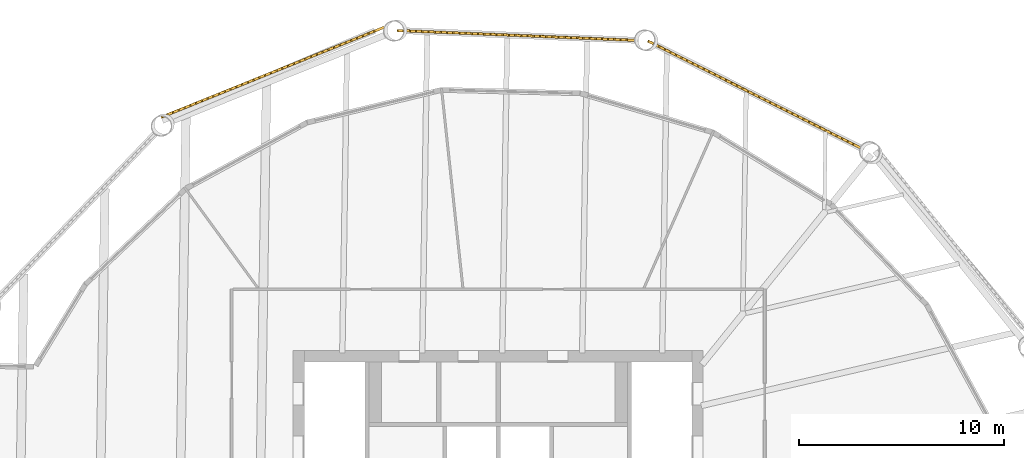
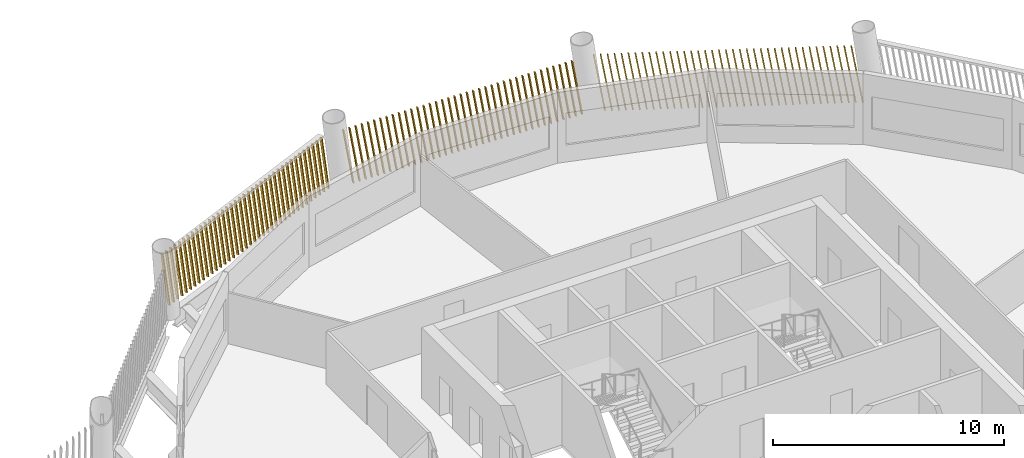
# One storey, part 14 of 15: 3 shading devices.
"""IFC4 building model written with IfcOpenShell, lengths in metres."""

import ifcopenshell
import ifcopenshell.guid

model = None  # the IFC model being written
_history = None  # IfcOwnerHistory: only IFC2X3 demands one
_inside = {}  # id of a spatial element -> (the spatial element, [elements in it])
_under = {}  # id of a project, library or spatial element -> (it, [spatial elements below it])
_declared = {}  # id of a project -> (the project, [libraries it declares])
_typed = {}  # id of a type object -> (the type object, [elements of that type])
_made_of = {}  # id of a material, layer set ... -> (it, [elements and type objects made of it])


def new_model(schema):
    """Start an empty IFC model of exactly this schema.

    Asked for "IFC4X3", IfcOpenShell would pick the latest addendum, in which some entities
    have other attributes; the version numbers below select the first issue.
    IFC2X3 requires an IfcOwnerHistory on every rooted entity: one is made here for all.
    """
    global model, _history
    if schema == "IFC4X3":
        model = ifcopenshell.file(schema_version=(4, 3, 0, 0))
    else:
        model = ifcopenshell.file(schema=schema)
    _inside.clear()
    _under.clear()
    _declared.clear()
    _typed.clear()
    _made_of.clear()
    _history = None
    if model.schema == "IFC2X3":
        org = make("IfcOrganization", Name="unknown")
        user = make(
            "IfcPersonAndOrganization",
            ThePerson=make("IfcPerson", FamilyName="unknown"),
            TheOrganization=org,
        )
        app = make(
            "IfcApplication",
            ApplicationDeveloper=org,
            Version="unknown",
            ApplicationFullName="unknown",
            ApplicationIdentifier="unknown",
        )
        _history = make(
            "IfcOwnerHistory",
            OwningUser=user,
            OwningApplication=app,
            ChangeAction="ADDED",
            CreationDate=0,
        )
    return model


def make(cls, **values):
    """One entity of the class cls with the attributes given. An attribute that is None is left unset."""
    return model.create_entity(
        cls, **{name: value for name, value in values.items() if value is not None}
    )


def rooted(cls, **values):
    """An entity with a GlobalId (a new one), such as an element, a storey or a relation."""
    return make(cls, GlobalId=ifcopenshell.guid.new(), OwnerHistory=_history, **values)


def si_unit(unit_type, name, prefix=None):
    """IfcSIUnit, for example si_unit("LENGTHUNIT", "METRE", prefix="MILLI")."""
    return make("IfcSIUnit", UnitType=unit_type, Prefix=prefix, Name=name)


def assignment(units):
    """IfcUnitAssignment: the units of a project."""
    return None if units is None else make("IfcUnitAssignment", Units=units)


def point(xyz):
    """IfcCartesianPoint."""
    return None if xyz is None else make("IfcCartesianPoint", Coordinates=xyz)


def direction(xyz):
    """IfcDirection."""
    return None if xyz is None else make("IfcDirection", DirectionRatios=xyz)


def frame(location, z_axis=None, x_axis=None):
    """IfcAxis2Placement3D, a coordinate frame: its origin and axes. An axis left out is left unset."""
    return make(
        "IfcAxis2Placement3D",
        Location=point(location),
        Axis=direction(z_axis),
        RefDirection=direction(x_axis),
    )


def frame_2d(location, x_axis=None):
    """IfcAxis2Placement2D, a coordinate frame in the plane: its origin and x axis."""
    return make(
        "IfcAxis2Placement2D", Location=point(location), RefDirection=direction(x_axis)
    )


def origin():
    """The frame at (0, 0, 0) with its axes left unset."""
    return frame((0.0, 0.0, 0.0))


def place(relative_to, where):
    """IfcLocalPlacement: puts the frame where relative to a parent placement (None: the world)."""
    return make(
        "IfcLocalPlacement", PlacementRelTo=relative_to, RelativePlacement=where
    )


def context(
    kind, dimensions, precision=None, world=None, true_north=None, identifier=None
):
    """IfcGeometricRepresentationContext, for example the 3D "Model" context."""
    return make(
        "IfcGeometricRepresentationContext",
        ContextIdentifier=identifier,
        ContextType=kind,
        CoordinateSpaceDimension=dimensions,
        Precision=precision,
        WorldCoordinateSystem=world,
        TrueNorth=true_north,
    )


def subcontext(parent, identifier, kind, view, scale=None):
    """IfcGeometricRepresentationSubContext, for example "Body" below "Model"."""
    return make(
        "IfcGeometricRepresentationSubContext",
        ContextIdentifier=identifier,
        ContextType=kind,
        ParentContext=parent,
        TargetScale=scale,
        TargetView=view,
    )


def project(units=None, contexts=None):
    """IfcProject with its units and contexts."""
    return rooted(
        "IfcProject",
        Name="project",
        RepresentationContexts=contexts,
        UnitsInContext=assignment(units),
    )


def spatial(cls, under=None, at=None, **own):
    """A site, building, storey or space (cls), placed at a placement, below another one or the project."""
    s = rooted(cls, ObjectPlacement=at, **own)
    if under is not None:
        _under.setdefault(under.id(), (under, []))[1].append(s)
    return s


def profile(cls, at=None, kind="AREA", **sizes):
    """A parametric profile (cls). Its sizes go by their IFC names, for example OverallWidth=200.0."""
    return make(cls, ProfileType=kind, Position=at, **sizes)


def rectangle(**sizes):
    """IfcRectangleProfileDef."""
    return profile("IfcRectangleProfileDef", **sizes)


def composite_profile(profiles, kind="AREA"):
    """IfcCompositeProfileDef: several profiles as one."""
    return make("IfcCompositeProfileDef", ProfileType=kind, Profiles=profiles)


def extrude(swept, where, along, depth):
    """IfcExtrudedAreaSolid: the profile swept, set in the frame where, extruded along a direction by depth."""
    return make(
        "IfcExtrudedAreaSolid",
        SweptArea=swept,
        Position=where,
        ExtrudedDirection=direction(along),
        Depth=depth,
    )


def shape(context_of_items, identifier, shape_type, items):
    """IfcShapeRepresentation: the items that make up one representation, for example the "Body"."""
    return make(
        "IfcShapeRepresentation",
        ContextOfItems=context_of_items,
        RepresentationIdentifier=identifier,
        RepresentationType=shape_type,
        Items=items,
    )


def material(Name=None, Category=None):
    """IfcMaterial."""
    return make("IfcMaterial", Name=Name, Category=Category)


def made_of(thing, what):
    """Note that an element or type object is made of a material, layer set ...; save() writes the relation."""
    if what is not None:
        _made_of.setdefault(what.id(), (what, []))[1].append(thing)
    return thing


def type_object(cls, material=None, **own):
    """A type object (cls), such as IfcWallType, which elements share."""
    return made_of(rooted(cls, **own), material)


def element(
    cls,
    number,
    at=None,
    inside=None,
    cuts=None,
    type_object=None,
    material=None,
    context=None,
    identifier="Body",
    shape_type=None,
    held_by="IfcProductDefinitionShape",
    body=None,
    shapes=None,
    **own,
):
    """One element of the class cls, such as IfcWall. Its Tag is "e" and its number.

    at: its placement. inside: the storey or other place that contains it. cuts: it is an
    opening in that element (IfcRelVoidsElement). A single representation is given by context,
    identifier, shape_type and body (its items); several are given by shapes. held_by: the class
    of the entity that holds the representations. save() writes the other relations.
    """
    e = rooted(cls, Tag="e%d" % number, ObjectPlacement=at, **own)
    if body is not None:
        shapes = [shape(context, identifier, shape_type, body)]
    if shapes is not None:
        e.Representation = make(held_by, Representations=shapes)
    if inside is not None:
        _inside.setdefault(inside.id(), (inside, []))[1].append(e)
    if cuts is not None:
        rooted(
            "IfcRelVoidsElement", RelatingBuildingElement=cuts, RelatedOpeningElement=e
        )
    if type_object is not None:
        _typed.setdefault(type_object.id(), (type_object, []))[1].append(e)
    return made_of(e, material)


def aggregate(whole, parts):
    """IfcRelAggregates: a whole, such as a stair, and the parts it consists of."""
    return rooted("IfcRelAggregates", RelatingObject=whole, RelatedObjects=parts)


def save(model, path):
    """Write the relations noted so far, then the file.

    IfcRelAggregates (storeys below a building ...), IfcRelContainedInSpatialStructure (elements
    in a storey), IfcRelDefinesByType, IfcRelAssociatesMaterial and IfcRelDeclares: one each for
    every whole, place, type object, material and project.
    """
    for whole, parts in _under.values():
        aggregate(whole, parts)
    for where, things in _inside.values():
        rooted(
            "IfcRelContainedInSpatialStructure",
            RelatedElements=things,
            RelatingStructure=where,
        )
    for kind, things in _typed.values():
        rooted("IfcRelDefinesByType", RelatedObjects=things, RelatingType=kind)
    for what, things in _made_of.values():
        rooted("IfcRelAssociatesMaterial", RelatedObjects=things, RelatingMaterial=what)
    for by, libraries in _declared.values():
        rooted("IfcRelDeclares", RelatingContext=by, RelatedDefinitions=libraries)
    model.write(path)


model = new_model("IFC4")

# Units and contexts
model_context = context("Model", 3, precision=1e-05, world=origin(), true_north=direction((0.0, 1.0)))
body_context = subcontext(model_context, "Body", "Model", "MODEL_VIEW")
ifc_project = project(units=[si_unit("LENGTHUNIT", "METRE"), si_unit("AREAUNIT", "SQUARE_METRE"), si_unit("VOLUMEUNIT", "CUBIC_METRE"), si_unit("PLANEANGLEUNIT", "RADIAN"), si_unit("MASSUNIT", "GRAM", prefix="KILO")], contexts=[model_context])

# Site, building, storey
site_placement = place(None, origin())
site = spatial("IfcSite", under=ifc_project, at=site_placement, CompositionType="ELEMENT")
building_placement = place(site_placement, origin())
building = spatial("IfcBuilding", under=site, at=building_placement, Name="Tarsis Ring Headquarters", CompositionType="ELEMENT")
storey_placement = place(building_placement, frame((0.0, 0.0, 282.5)))
storey = spatial("IfcBuildingStorey", under=building, at=storey_placement, Name="L66", CompositionType="ELEMENT", Elevation=282.5)

# Shading devices
ifc_material = material(Name="Terracotta baguette", Category="masonry")
shading_device_type = type_object("IfcShadingDeviceType", Name="Terracotta baguette screen", PredefinedType="USERDEFINED", material=ifc_material)
shading_device_1_placement = place(storey_placement, frame((17.786865234375, 22.837890625, 0.0), z_axis=(0.0, 0.0, 1.0), x_axis=(-0.893304395008, 0.449462832339, 0.0)))
element("IfcShadingDevice", 1, at=shading_device_1_placement, inside=storey, type_object=shading_device_type, Name="Baguette screen L66-11", ObjectType="Terracotta baguette screen", PredefinedType="USERDEFINED", context=body_context, shape_type="SweptSolid", body=[
    extrude(composite_profile([rectangle(XDim=0.06005859375, YDim=0.1201171875, at=frame_2d((0.030029296875, 0.0))), rectangle(XDim=0.06005859375, YDim=0.1201171875, at=frame_2d((0.33251953125, 0.0))), rectangle(XDim=0.06005859375, YDim=0.1201171875, at=frame_2d((0.634765625, 0.0))), rectangle(XDim=0.06005859375, YDim=0.1201171875, at=frame_2d((0.937255859375, 0.0))), rectangle(XDim=0.06005859375, YDim=0.1201171875, at=frame_2d((1.239501953125, 0.0))), rectangle(XDim=0.06005859375, YDim=0.1201171875, at=frame_2d((1.5419921875, 0.0))), rectangle(XDim=0.06005859375, YDim=0.1201171875, at=frame_2d((1.844482421875, 0.0))), rectangle(XDim=0.06005859375, YDim=0.1201171875, at=frame_2d((2.146728515625, 0.0))), rectangle(XDim=0.06005859375, YDim=0.1201171875, at=frame_2d((2.44921875, 0.0))), rectangle(XDim=0.06005859375, YDim=0.1201171875, at=frame_2d((2.751708984375, 0.0))), rectangle(XDim=0.06005859375, YDim=0.1201171875, at=frame_2d((3.053955078125, 0.0))), rectangle(XDim=0.06005859375, YDim=0.1201171875, at=frame_2d((3.3564453125, 0.0))), rectangle(XDim=0.06005859375, YDim=0.1201171875, at=frame_2d((3.65869140625, 0.0))), rectangle(XDim=0.06005859375, YDim=0.1201171875, at=frame_2d((3.961181640625, 0.0))), rectangle(XDim=0.06005859375, YDim=0.1201171875, at=frame_2d((4.263671875, 0.0))), rectangle(XDim=0.06005859375, YDim=0.1201171875, at=frame_2d((4.56591796875, 0.0))), rectangle(XDim=0.06005859375, YDim=0.1201171875, at=frame_2d((4.868408203125, 0.0))), rectangle(XDim=0.06005859375, YDim=0.1201171875, at=frame_2d((5.1708984375, 0.0))), rectangle(XDim=0.06005859375, YDim=0.1201171875, at=frame_2d((5.47314453125, 0.0))), rectangle(XDim=0.06005859375, YDim=0.1201171875, at=frame_2d((5.775634765625, 0.0))), rectangle(XDim=0.06005859375, YDim=0.1201171875, at=frame_2d((6.077880859375, 0.0))), rectangle(XDim=0.06005859375, YDim=0.1201171875, at=frame_2d((6.38037109375, 0.0))), rectangle(XDim=0.06005859375, YDim=0.1201171875, at=frame_2d((6.682861328125, 0.0))), rectangle(XDim=0.06005859375, YDim=0.1201171875, at=frame_2d((6.985107421875, 0.0))), rectangle(XDim=0.06005859375, YDim=0.1201171875, at=frame_2d((7.28759765625, 0.0))), rectangle(XDim=0.06005859375, YDim=0.1201171875, at=frame_2d((7.590087890625, 0.0))), rectangle(XDim=0.06005859375, YDim=0.1201171875, at=frame_2d((7.892333984375, 0.0))), rectangle(XDim=0.06005859375, YDim=0.1201171875, at=frame_2d((8.19482421875, 0.0))), rectangle(XDim=0.06005859375, YDim=0.1201171875, at=frame_2d((8.4970703125, 0.0))), rectangle(XDim=0.06005859375, YDim=0.1201171875, at=frame_2d((8.799560546875, 0.0))), rectangle(XDim=0.06005859375, YDim=0.1201171875, at=frame_2d((9.10205078125, 0.0))), rectangle(XDim=0.06005859375, YDim=0.1201171875, at=frame_2d((9.404296875, 0.0))), rectangle(XDim=0.06005859375, YDim=0.1201171875, at=frame_2d((9.706787109375, 0.0))), rectangle(XDim=0.06005859375, YDim=0.1201171875, at=frame_2d((10.00927734375, 0.0))), rectangle(XDim=0.06005859375, YDim=0.1201171875, at=frame_2d((10.3115234375, 0.0))), rectangle(XDim=0.06005859375, YDim=0.1201171875, at=frame_2d((10.614013671875, 0.0))), rectangle(XDim=0.06005859375, YDim=0.1201171875, at=frame_2d((10.916259765625, 0.0))), rectangle(XDim=0.06005859375, YDim=0.1201171875, at=frame_2d((11.21875, 0.0)))]), origin(), (0.164704037264, 0.001438131489, 0.98634198526), 3.0087890625),
])
shading_device_2_placement = place(storey_placement, frame((6.7919921875, 28.13916015625, 0.0), z_axis=(0.0, 0.0, 1.0), x_axis=(-0.999153553988, 0.04128052089, 0.0)))
element("IfcShadingDevice", 2, at=shading_device_2_placement, inside=storey, type_object=shading_device_type, Name="Baguette screen L66-12", ObjectType="Terracotta baguette screen", PredefinedType="USERDEFINED", context=body_context, shape_type="SweptSolid", body=[
    extrude(composite_profile([rectangle(XDim=0.06005859375, YDim=0.1201171875, at=frame_2d((0.030029296875, 0.0))), rectangle(XDim=0.06005859375, YDim=0.1201171875, at=frame_2d((0.33251953125, 0.0))), rectangle(XDim=0.06005859375, YDim=0.1201171875, at=frame_2d((0.634765625, 0.0))), rectangle(XDim=0.06005859375, YDim=0.1201171875, at=frame_2d((0.937255859375, 0.0))), rectangle(XDim=0.06005859375, YDim=0.1201171875, at=frame_2d((1.239501953125, 0.0))), rectangle(XDim=0.06005859375, YDim=0.1201171875, at=frame_2d((1.5419921875, 0.0))), rectangle(XDim=0.06005859375, YDim=0.1201171875, at=frame_2d((1.844482421875, 0.0))), rectangle(XDim=0.06005859375, YDim=0.1201171875, at=frame_2d((2.146728515625, 0.0))), rectangle(XDim=0.06005859375, YDim=0.1201171875, at=frame_2d((2.44921875, 0.0))), rectangle(XDim=0.06005859375, YDim=0.1201171875, at=frame_2d((2.751708984375, 0.0))), rectangle(XDim=0.06005859375, YDim=0.1201171875, at=frame_2d((3.053955078125, 0.0))), rectangle(XDim=0.06005859375, YDim=0.1201171875, at=frame_2d((3.3564453125, 0.0))), rectangle(XDim=0.06005859375, YDim=0.1201171875, at=frame_2d((3.65869140625, 0.0))), rectangle(XDim=0.06005859375, YDim=0.1201171875, at=frame_2d((3.961181640625, 0.0))), rectangle(XDim=0.06005859375, YDim=0.1201171875, at=frame_2d((4.263671875, 0.0))), rectangle(XDim=0.06005859375, YDim=0.1201171875, at=frame_2d((4.56591796875, 0.0))), rectangle(XDim=0.06005859375, YDim=0.1201171875, at=frame_2d((4.868408203125, 0.0))), rectangle(XDim=0.06005859375, YDim=0.1201171875, at=frame_2d((5.1708984375, 0.0))), rectangle(XDim=0.06005859375, YDim=0.1201171875, at=frame_2d((5.47314453125, 0.0))), rectangle(XDim=0.06005859375, YDim=0.1201171875, at=frame_2d((5.775634765625, 0.0))), rectangle(XDim=0.06005859375, YDim=0.1201171875, at=frame_2d((6.077880859375, 0.0))), rectangle(XDim=0.06005859375, YDim=0.1201171875, at=frame_2d((6.38037109375, 0.0))), rectangle(XDim=0.06005859375, YDim=0.1201171875, at=frame_2d((6.682861328125, 0.0))), rectangle(XDim=0.06005859375, YDim=0.1201171875, at=frame_2d((6.985107421875, 0.0))), rectangle(XDim=0.06005859375, YDim=0.1201171875, at=frame_2d((7.28759765625, 0.0))), rectangle(XDim=0.06005859375, YDim=0.1201171875, at=frame_2d((7.590087890625, 0.0))), rectangle(XDim=0.06005859375, YDim=0.1201171875, at=frame_2d((7.892333984375, 0.0))), rectangle(XDim=0.06005859375, YDim=0.1201171875, at=frame_2d((8.19482421875, 0.0))), rectangle(XDim=0.06005859375, YDim=0.1201171875, at=frame_2d((8.4970703125, 0.0))), rectangle(XDim=0.06005859375, YDim=0.1201171875, at=frame_2d((8.799560546875, 0.0))), rectangle(XDim=0.06005859375, YDim=0.1201171875, at=frame_2d((9.10205078125, 0.0))), rectangle(XDim=0.06005859375, YDim=0.1201171875, at=frame_2d((9.404296875, 0.0))), rectangle(XDim=0.06005859375, YDim=0.1201171875, at=frame_2d((9.706787109375, 0.0))), rectangle(XDim=0.06005859375, YDim=0.1201171875, at=frame_2d((10.00927734375, 0.0))), rectangle(XDim=0.06005859375, YDim=0.1201171875, at=frame_2d((10.3115234375, 0.0))), rectangle(XDim=0.06005859375, YDim=0.1201171875, at=frame_2d((10.614013671875, 0.0))), rectangle(XDim=0.06005859375, YDim=0.1201171875, at=frame_2d((10.916259765625, 0.0))), rectangle(XDim=0.06005859375, YDim=0.1201171875, at=frame_2d((11.21875, 0.0)))]), origin(), (0.164704423321, 0.001436093928, 0.986341923763), 3.0087890625),
])
shading_device_3_placement = place(storey_placement, frame((-5.55078125, 28.784912109375, 0.0), z_axis=(0.0, 0.0, 1.0), x_axis=(-0.927337442486, -0.374229533814, 0.0)))
element("IfcShadingDevice", 3, at=shading_device_3_placement, inside=storey, type_object=shading_device_type, Name="Baguette screen L66-13", ObjectType="Terracotta baguette screen", PredefinedType="USERDEFINED", context=body_context, shape_type="SweptSolid", body=[
    extrude(composite_profile([rectangle(XDim=0.06005859375, YDim=0.1201171875, at=frame_2d((0.030029296875, 0.0))), rectangle(XDim=0.06005859375, YDim=0.1201171875, at=frame_2d((0.33251953125, 0.0))), rectangle(XDim=0.06005859375, YDim=0.1201171875, at=frame_2d((0.634765625, 0.0))), rectangle(XDim=0.06005859375, YDim=0.1201171875, at=frame_2d((0.937255859375, 0.0))), rectangle(XDim=0.06005859375, YDim=0.1201171875, at=frame_2d((1.239501953125, 0.0))), rectangle(XDim=0.06005859375, YDim=0.1201171875, at=frame_2d((1.5419921875, 0.0))), rectangle(XDim=0.06005859375, YDim=0.1201171875, at=frame_2d((1.844482421875, 0.0))), rectangle(XDim=0.06005859375, YDim=0.1201171875, at=frame_2d((2.146728515625, 0.0))), rectangle(XDim=0.06005859375, YDim=0.1201171875, at=frame_2d((2.44921875, 0.0))), rectangle(XDim=0.06005859375, YDim=0.1201171875, at=frame_2d((2.751708984375, 0.0))), rectangle(XDim=0.06005859375, YDim=0.1201171875, at=frame_2d((3.053955078125, 0.0))), rectangle(XDim=0.06005859375, YDim=0.1201171875, at=frame_2d((3.3564453125, 0.0))), rectangle(XDim=0.06005859375, YDim=0.1201171875, at=frame_2d((3.65869140625, 0.0))), rectangle(XDim=0.06005859375, YDim=0.1201171875, at=frame_2d((3.961181640625, 0.0))), rectangle(XDim=0.06005859375, YDim=0.1201171875, at=frame_2d((4.263671875, 0.0))), rectangle(XDim=0.06005859375, YDim=0.1201171875, at=frame_2d((4.56591796875, 0.0))), rectangle(XDim=0.06005859375, YDim=0.1201171875, at=frame_2d((4.868408203125, 0.0))), rectangle(XDim=0.06005859375, YDim=0.1201171875, at=frame_2d((5.1708984375, 0.0))), rectangle(XDim=0.06005859375, YDim=0.1201171875, at=frame_2d((5.47314453125, 0.0))), rectangle(XDim=0.06005859375, YDim=0.1201171875, at=frame_2d((5.775634765625, 0.0))), rectangle(XDim=0.06005859375, YDim=0.1201171875, at=frame_2d((6.077880859375, 0.0))), rectangle(XDim=0.06005859375, YDim=0.1201171875, at=frame_2d((6.38037109375, 0.0))), rectangle(XDim=0.06005859375, YDim=0.1201171875, at=frame_2d((6.682861328125, 0.0))), rectangle(XDim=0.06005859375, YDim=0.1201171875, at=frame_2d((6.985107421875, 0.0))), rectangle(XDim=0.06005859375, YDim=0.1201171875, at=frame_2d((7.28759765625, 0.0))), rectangle(XDim=0.06005859375, YDim=0.1201171875, at=frame_2d((7.590087890625, 0.0))), rectangle(XDim=0.06005859375, YDim=0.1201171875, at=frame_2d((7.892333984375, 0.0))), rectangle(XDim=0.06005859375, YDim=0.1201171875, at=frame_2d((8.19482421875, 0.0))), rectangle(XDim=0.06005859375, YDim=0.1201171875, at=frame_2d((8.4970703125, 0.0))), rectangle(XDim=0.06005859375, YDim=0.1201171875, at=frame_2d((8.799560546875, 0.0))), rectangle(XDim=0.06005859375, YDim=0.1201171875, at=frame_2d((9.10205078125, 0.0))), rectangle(XDim=0.06005859375, YDim=0.1201171875, at=frame_2d((9.404296875, 0.0))), rectangle(XDim=0.06005859375, YDim=0.1201171875, at=frame_2d((9.706787109375, 0.0))), rectangle(XDim=0.06005859375, YDim=0.1201171875, at=frame_2d((10.00927734375, 0.0))), rectangle(XDim=0.06005859375, YDim=0.1201171875, at=frame_2d((10.3115234375, 0.0))), rectangle(XDim=0.06005859375, YDim=0.1201171875, at=frame_2d((10.614013671875, 0.0))), rectangle(XDim=0.06005859375, YDim=0.1201171875, at=frame_2d((10.916259765625, 0.0))), rectangle(XDim=0.06005859375, YDim=0.1201171875, at=frame_2d((11.21875, 0.0)))]), origin(), (0.166818697396, 0.0014544244, 0.985986514537), 3.010009765625),
])

save(model, "model.ifc")
